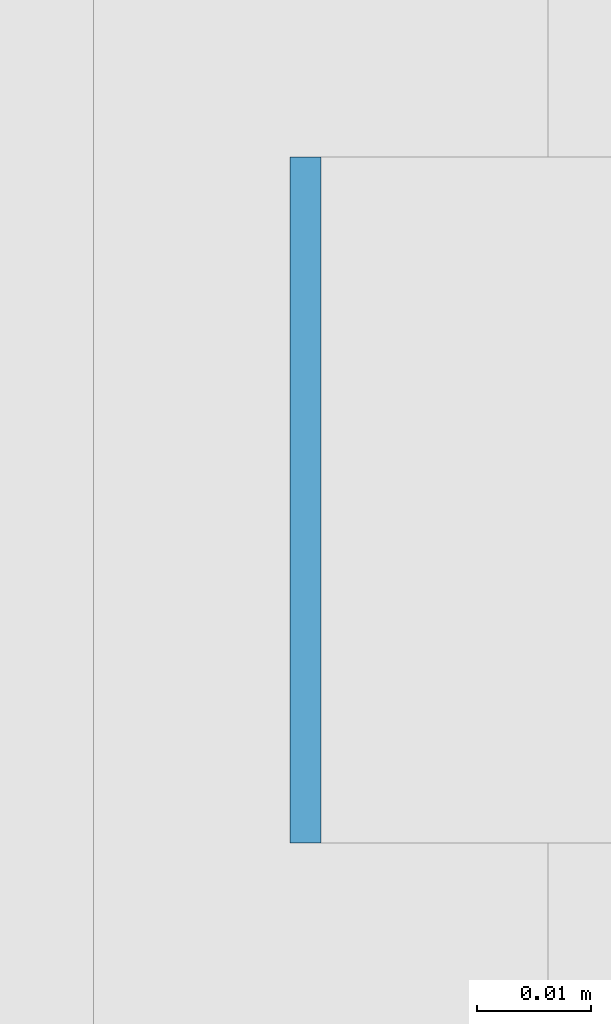
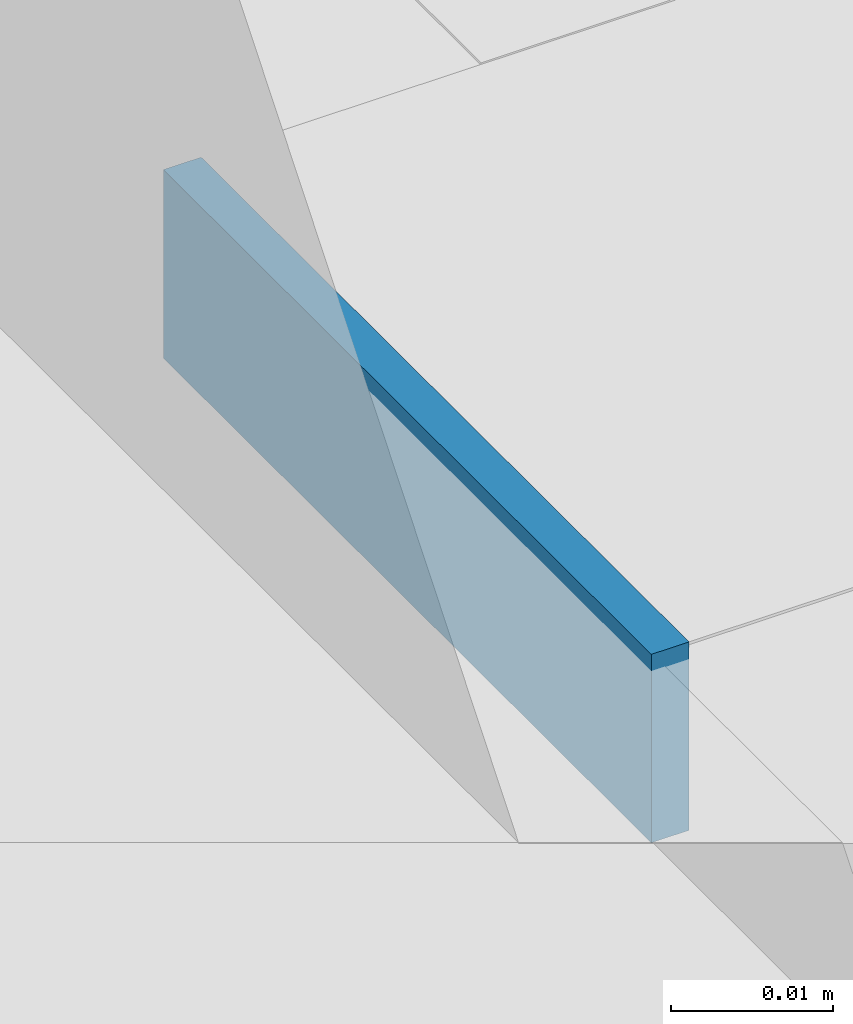
# One storey, part 469 of 646: 1 discrete accessory.
"""IFC4 building model written with IfcOpenShell, lengths in metres."""

from ifc_helpers import new_model, si_unit, direction, frame, origin, origin_2d, place, context, subcontext, project, spatial, rectangle, extrude, material, type_object, element, save


model = new_model("IFC4")

# Units and contexts
model_context = context("Model", 3, precision=1e-05, world=origin(), true_north=direction((0.0, 1.0)))
body_context = subcontext(model_context, "Body", "Model", "MODEL_VIEW")
ifc_project = project(units=[si_unit("LENGTHUNIT", "METRE"), si_unit("AREAUNIT", "SQUARE_METRE"), si_unit("VOLUMEUNIT", "CUBIC_METRE"), si_unit("PLANEANGLEUNIT", "RADIAN"), si_unit("MASSUNIT", "GRAM", prefix="KILO")], contexts=[model_context])

# Site, building, storey
site_placement = place(None, origin())
site = spatial("IfcSite", under=ifc_project, at=site_placement, CompositionType="ELEMENT")
building_placement = place(site_placement, origin())
building = spatial("IfcBuilding", under=site, at=building_placement, Name="Silverbay Arena", CompositionType="ELEMENT")
storey_placement = place(building_placement, frame((0.0, 0.0, 33.5)))
storey = spatial("IfcBuildingStorey", under=building, at=storey_placement, Name="L05", CompositionType="ELEMENT", Elevation=33.5)

# Discrete accessory
ifc_material = material(Name="Steel S355", Category="steel")
discrete_accessory_type = type_object("IfcDiscreteAccessoryType", Name="Steel bracket plate", PredefinedType="BRACKET", material=ifc_material)
discrete_accessory_placement = place(storey_placement, frame((207.128662109375, 50.142822265625, 12.98583984375), z_axis=(0.0, 0.0, 1.0), x_axis=(1.0, 0.0, 0.0)))
element("IfcDiscreteAccessory", 1, at=discrete_accessory_placement, inside=storey, type_object=discrete_accessory_type, Name="Curtain wall packing plate", PredefinedType="BRACKET", context=body_context, shape_type="SweptSolid", body=[
    extrude(rectangle(XDim=0.002685546875, YDim=0.06005859375, at=origin_2d()), origin(), (0.0, 0.0, 1.0), 0.01416015625),
])

save(model, "model.ifc")
